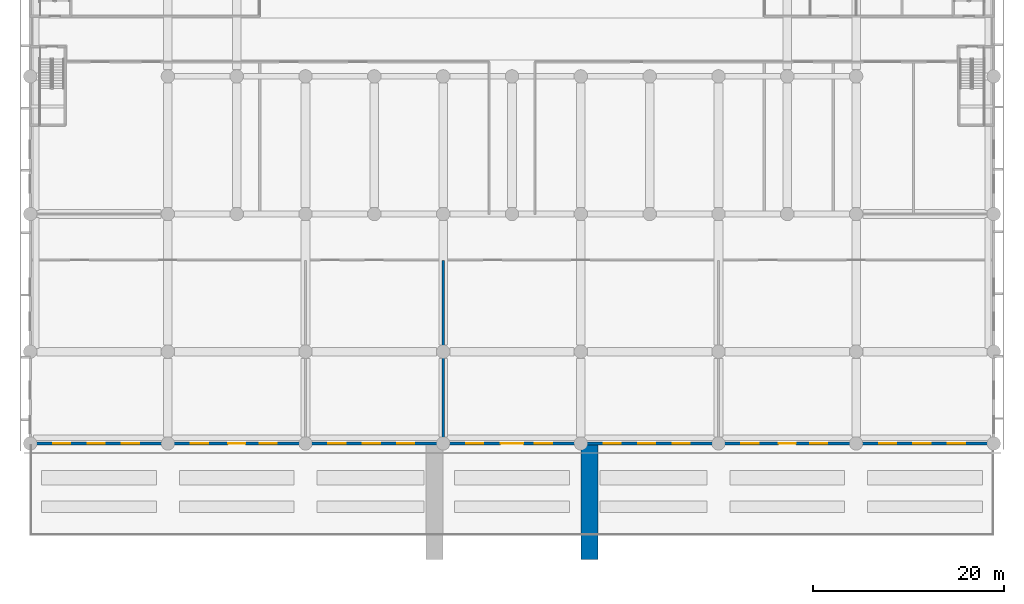
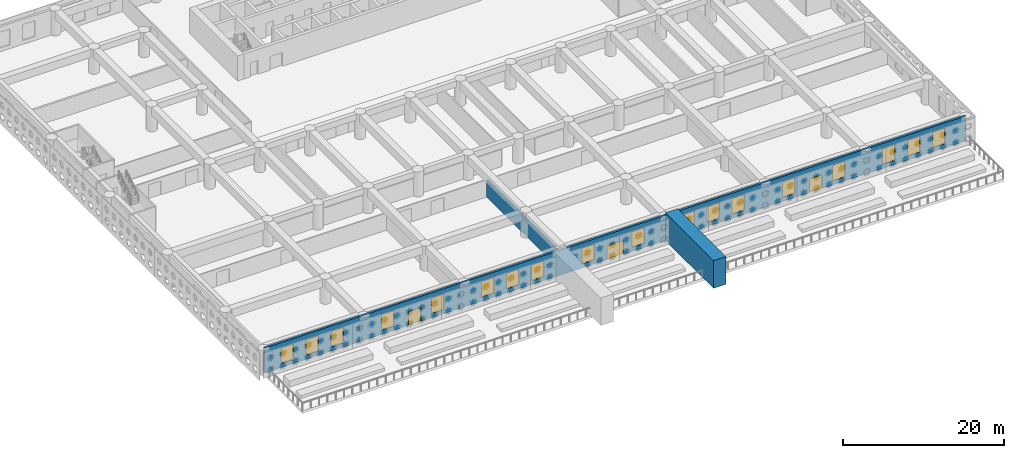
# One storey, part 3 of 24: 18 windows, 3 doors, 3 walls, 21 openings.
"""IFC4 building model written with IfcOpenShell, lengths in metres."""

from ifc_helpers import new_model, si_unit, direction, frame, frame_2d, origin, place, context, subcontext, project, spatial, rectangle, extrude, material, layer, layer_set, type_object, element, fill, save


model = new_model("IFC4")

# Units and contexts
model_context = context("Model", 3, precision=1e-05, world=origin(), true_north=direction((0.0, 1.0)))
body_context = subcontext(model_context, "Body", "Model", "MODEL_VIEW")
ifc_project = project(units=[si_unit("LENGTHUNIT", "METRE"), si_unit("AREAUNIT", "SQUARE_METRE"), si_unit("VOLUMEUNIT", "CUBIC_METRE"), si_unit("PLANEANGLEUNIT", "RADIAN"), si_unit("MASSUNIT", "GRAM", prefix="KILO")], contexts=[model_context])

# Site, building, storey
site_placement = place(None, origin())
site = spatial("IfcSite", under=ifc_project, at=site_placement, CompositionType="ELEMENT")
building_placement = place(site_placement, origin())
building = spatial("IfcBuilding", under=site, at=building_placement, Name="Saffron Iwan Residences", CompositionType="ELEMENT")
storey_placement = place(building_placement, frame((0.0, 0.0, 13.199951171875)))
storey = spatial("IfcBuildingStorey", under=building, at=storey_placement, Name="L02", CompositionType="ELEMENT", Elevation=13.199951171875)

# Wall
ifc_material_1 = material(Name="Concrete C40/50", Category="concrete")
ifc_layer_1 = layer(ifc_material_1, 0.25)
ifc_layer_set_1 = layer_set([ifc_layer_1], Name="Concrete C40/50")
wall_type_1 = type_object("IfcWallType", Name="Fire compartment wall 250", PredefinedType="SOLIDWALL", material=ifc_layer_set_1)
wall_1_placement = place(storey_placement, frame((43.199951171875, 9.75, 0.0), z_axis=(0.0, 0.0, 1.0), x_axis=(0.0, 1.0, 0.0)))
element("IfcWall", 1, at=wall_1_placement, inside=storey, type_object=wall_type_1, Name="W-L02-032", PredefinedType="SOLIDWALL", context=body_context, shape_type="SweptSolid", body=[
    extrude(rectangle(XDim=18.97509765625, YDim=0.25, at=frame_2d((9.487548828125, 0.0))), origin(), (0.0, 0.0, 1.0), 2.60009765625),
])

# Wall, openings, doors, windows
ifc_material_2 = material(Name="Precast concrete C40/50", Category="concrete")
ifc_layer_2 = layer(ifc_material_2, 0.300048828125)
ifc_layer_set_2 = layer_set([ifc_layer_2], Name="Precast concrete C40/50")
wall_type_2 = type_object("IfcWallType", Name="Podium external wall 300", PredefinedType="SOLIDWALL", material=ifc_layer_set_2)
wall_2_placement = place(storey_placement, frame((0.0, 9.60009765625, 0.0), z_axis=(0.0, 0.0, 1.0), x_axis=(1.0, 0.0, 0.0)))
wall_2 = element("IfcWall", 2, at=wall_2_placement, inside=storey, type_object=wall_type_2, Name="W-L02-001", PredefinedType="SOLIDWALL", context=body_context, shape_type="SweptSolid", body=[
    extrude(rectangle(XDim=100.800048828125, YDim=0.300048828125, at=frame_2d((50.39990234375, 0.0))), origin(), (0.0, 0.0, 1.0), 3.800048828125),
])
opening_1_placement = place(wall_2_placement, frame((20.699951171875, 0.0, 0.0)))
opening_1 = element("IfcOpeningElement", 3, at=opening_1_placement, cuts=wall_2, Name="Opening L02.26", PredefinedType="OPENING", context=body_context, shape_type="SweptSolid", body=[
    extrude(rectangle(XDim=1.800048828125, YDim=2.10009765625, at=frame_2d((0.89990234375, 1.050048828125))), frame((0.0, 0.16015625, 0.0), z_axis=(0.0, -1.0, 0.0), x_axis=(1.0, 0.0, 0.0)), (0.0, 0.0, 1.0), 0.320068359375),
])
opening_2_placement = place(wall_2_placement, frame((49.199951171875, 0.0, 0.0)))
opening_2 = element("IfcOpeningElement", 4, at=opening_2_placement, cuts=wall_2, Name="Opening L02.27", PredefinedType="OPENING", context=body_context, shape_type="SweptSolid", body=[
    extrude(rectangle(XDim=2.39990234375, YDim=2.10009765625, at=frame_2d((1.199951171875, 1.050048828125))), frame((0.0, 0.16015625, 0.0), z_axis=(0.0, -1.0, 0.0), x_axis=(1.0, 0.0, 0.0)), (0.0, 0.0, 1.0), 0.320068359375),
])
opening_3_placement = place(wall_2_placement, frame((78.300048828125, 0.0, 0.0)))
opening_3 = element("IfcOpeningElement", 5, at=opening_3_placement, cuts=wall_2, Name="Opening L02.28", PredefinedType="OPENING", context=body_context, shape_type="SweptSolid", body=[
    extrude(rectangle(XDim=1.800048828125, YDim=2.10009765625, at=frame_2d((0.89990234375, 1.050048828125))), frame((0.0, 0.16015625, 0.0), z_axis=(0.0, -1.0, 0.0), x_axis=(1.0, 0.0, 0.0)), (0.0, 0.0, 1.0), 0.320068359375),
])
opening_4_placement = place(wall_2_placement, frame((2.39990234375, 0.0, 0.60009765625)))
opening_4 = element("IfcOpeningElement", 6, at=opening_4_placement, cuts=wall_2, Name="Opening W7", PredefinedType="OPENING", context=body_context, shape_type="SweptSolid", body=[
    extrude(rectangle(XDim=1.800048828125, YDim=2.39990234375, at=frame_2d((0.89990234375, 1.199951171875))), frame((0.0, 0.16015625, 0.0), z_axis=(0.0, -1.0, 0.0), x_axis=(1.0, 0.0, 0.0)), (0.0, 0.0, 1.0), 0.320068359375),
])
opening_5_placement = place(wall_2_placement, frame((6.0, 0.0, 0.60009765625)))
opening_5 = element("IfcOpeningElement", 7, at=opening_5_placement, cuts=wall_2, Name="Opening W7", PredefinedType="OPENING", context=body_context, shape_type="SweptSolid", body=[
    extrude(rectangle(XDim=1.800048828125, YDim=2.39990234375, at=frame_2d((0.89990234375, 1.199951171875))), frame((0.0, 0.16015625, 0.0), z_axis=(0.0, -1.0, 0.0), x_axis=(1.0, 0.0, 0.0)), (0.0, 0.0, 1.0), 0.320068359375),
])
opening_6_placement = place(wall_2_placement, frame((9.60009765625, 0.0, 0.60009765625)))
opening_6 = element("IfcOpeningElement", 8, at=opening_6_placement, cuts=wall_2, Name="Opening W7", PredefinedType="OPENING", context=body_context, shape_type="SweptSolid", body=[
    extrude(rectangle(XDim=1.800048828125, YDim=2.39990234375, at=frame_2d((0.89990234375, 1.199951171875))), frame((0.0, 0.16015625, 0.0), z_axis=(0.0, -1.0, 0.0), x_axis=(1.0, 0.0, 0.0)), (0.0, 0.0, 1.0), 0.320068359375),
])
opening_7_placement = place(wall_2_placement, frame((16.800048828125, 0.0, 0.60009765625)))
opening_7 = element("IfcOpeningElement", 9, at=opening_7_placement, cuts=wall_2, Name="Opening W7", PredefinedType="OPENING", context=body_context, shape_type="SweptSolid", body=[
    extrude(rectangle(XDim=1.800048828125, YDim=2.39990234375, at=frame_2d((0.89990234375, 1.199951171875))), frame((0.0, 0.16015625, 0.0), z_axis=(0.0, -1.0, 0.0), x_axis=(1.0, 0.0, 0.0)), (0.0, 0.0, 1.0), 0.320068359375),
])
opening_8_placement = place(wall_2_placement, frame((24.0, 0.0, 0.60009765625)))
opening_8 = element("IfcOpeningElement", 10, at=opening_8_placement, cuts=wall_2, Name="Opening W7", PredefinedType="OPENING", context=body_context, shape_type="SweptSolid", body=[
    extrude(rectangle(XDim=1.800048828125, YDim=2.39990234375, at=frame_2d((0.89990234375, 1.199951171875))), frame((0.0, 0.16015625, 0.0), z_axis=(0.0, -1.0, 0.0), x_axis=(1.0, 0.0, 0.0)), (0.0, 0.0, 1.0), 0.320068359375),
])
opening_9_placement = place(wall_2_placement, frame((31.199951171875, 0.0, 0.60009765625)))
opening_9 = element("IfcOpeningElement", 11, at=opening_9_placement, cuts=wall_2, Name="Opening W7", PredefinedType="OPENING", context=body_context, shape_type="SweptSolid", body=[
    extrude(rectangle(XDim=1.800048828125, YDim=2.39990234375, at=frame_2d((0.89990234375, 1.199951171875))), frame((0.0, 0.16015625, 0.0), z_axis=(0.0, -1.0, 0.0), x_axis=(1.0, 0.0, 0.0)), (0.0, 0.0, 1.0), 0.320068359375),
])
opening_10_placement = place(wall_2_placement, frame((34.800048828125, 0.0, 0.60009765625)))
opening_10 = element("IfcOpeningElement", 12, at=opening_10_placement, cuts=wall_2, Name="Opening W7", PredefinedType="OPENING", context=body_context, shape_type="SweptSolid", body=[
    extrude(rectangle(XDim=1.800048828125, YDim=2.39990234375, at=frame_2d((0.89990234375, 1.199951171875))), frame((0.0, 0.16015625, 0.0), z_axis=(0.0, -1.0, 0.0), x_axis=(1.0, 0.0, 0.0)), (0.0, 0.0, 1.0), 0.320068359375),
])
opening_11_placement = place(wall_2_placement, frame((38.39990234375, 0.0, 0.60009765625)))
opening_11 = element("IfcOpeningElement", 13, at=opening_11_placement, cuts=wall_2, Name="Opening W7", PredefinedType="OPENING", context=body_context, shape_type="SweptSolid", body=[
    extrude(rectangle(XDim=1.800048828125, YDim=2.39990234375, at=frame_2d((0.89990234375, 1.199951171875))), frame((0.0, 0.16015625, 0.0), z_axis=(0.0, -1.0, 0.0), x_axis=(1.0, 0.0, 0.0)), (0.0, 0.0, 1.0), 0.320068359375),
])
opening_12_placement = place(wall_2_placement, frame((45.60009765625, 0.0, 0.60009765625)))
opening_12 = element("IfcOpeningElement", 14, at=opening_12_placement, cuts=wall_2, Name="Opening W7", PredefinedType="OPENING", context=body_context, shape_type="SweptSolid", body=[
    extrude(rectangle(XDim=1.800048828125, YDim=2.39990234375, at=frame_2d((0.89990234375, 1.199951171875))), frame((0.0, 0.16015625, 0.0), z_axis=(0.0, -1.0, 0.0), x_axis=(1.0, 0.0, 0.0)), (0.0, 0.0, 1.0), 0.320068359375),
])
opening_13_placement = place(wall_2_placement, frame((52.800048828125, 0.0, 0.60009765625)))
opening_13 = element("IfcOpeningElement", 15, at=opening_13_placement, cuts=wall_2, Name="Opening W7", PredefinedType="OPENING", context=body_context, shape_type="SweptSolid", body=[
    extrude(rectangle(XDim=1.800048828125, YDim=2.39990234375, at=frame_2d((0.89990234375, 1.199951171875))), frame((0.0, 0.16015625, 0.0), z_axis=(0.0, -1.0, 0.0), x_axis=(1.0, 0.0, 0.0)), (0.0, 0.0, 1.0), 0.320068359375),
])
opening_14_placement = place(wall_2_placement, frame((60.0, 0.0, 0.60009765625)))
opening_14 = element("IfcOpeningElement", 16, at=opening_14_placement, cuts=wall_2, Name="Opening W7", PredefinedType="OPENING", context=body_context, shape_type="SweptSolid", body=[
    extrude(rectangle(XDim=1.800048828125, YDim=2.39990234375, at=frame_2d((0.89990234375, 1.199951171875))), frame((0.0, 0.16015625, 0.0), z_axis=(0.0, -1.0, 0.0), x_axis=(1.0, 0.0, 0.0)), (0.0, 0.0, 1.0), 0.320068359375),
])
opening_15_placement = place(wall_2_placement, frame((63.60009765625, 0.0, 0.60009765625)))
opening_15 = element("IfcOpeningElement", 17, at=opening_15_placement, cuts=wall_2, Name="Opening W7", PredefinedType="OPENING", context=body_context, shape_type="SweptSolid", body=[
    extrude(rectangle(XDim=1.800048828125, YDim=2.39990234375, at=frame_2d((0.89990234375, 1.199951171875))), frame((0.0, 0.16015625, 0.0), z_axis=(0.0, -1.0, 0.0), x_axis=(1.0, 0.0, 0.0)), (0.0, 0.0, 1.0), 0.320068359375),
])
opening_16_placement = place(wall_2_placement, frame((67.199951171875, 0.0, 0.60009765625)))
opening_16 = element("IfcOpeningElement", 18, at=opening_16_placement, cuts=wall_2, Name="Opening W7", PredefinedType="OPENING", context=body_context, shape_type="SweptSolid", body=[
    extrude(rectangle(XDim=1.800048828125, YDim=2.39990234375, at=frame_2d((0.89990234375, 1.199951171875))), frame((0.0, 0.16015625, 0.0), z_axis=(0.0, -1.0, 0.0), x_axis=(1.0, 0.0, 0.0)), (0.0, 0.0, 1.0), 0.320068359375),
])
opening_17_placement = place(wall_2_placement, frame((74.39990234375, 0.0, 0.60009765625)))
opening_17 = element("IfcOpeningElement", 19, at=opening_17_placement, cuts=wall_2, Name="Opening W7", PredefinedType="OPENING", context=body_context, shape_type="SweptSolid", body=[
    extrude(rectangle(XDim=1.800048828125, YDim=2.39990234375, at=frame_2d((0.89990234375, 1.199951171875))), frame((0.0, 0.16015625, 0.0), z_axis=(0.0, -1.0, 0.0), x_axis=(1.0, 0.0, 0.0)), (0.0, 0.0, 1.0), 0.320068359375),
])
opening_18_placement = place(wall_2_placement, frame((81.60009765625, 0.0, 0.60009765625)))
opening_18 = element("IfcOpeningElement", 20, at=opening_18_placement, cuts=wall_2, Name="Opening W7", PredefinedType="OPENING", context=body_context, shape_type="SweptSolid", body=[
    extrude(rectangle(XDim=1.800048828125, YDim=2.39990234375, at=frame_2d((0.89990234375, 1.199951171875))), frame((0.0, 0.16015625, 0.0), z_axis=(0.0, -1.0, 0.0), x_axis=(1.0, 0.0, 0.0)), (0.0, 0.0, 1.0), 0.320068359375),
])
opening_19_placement = place(wall_2_placement, frame((88.800048828125, 0.0, 0.60009765625)))
opening_19 = element("IfcOpeningElement", 21, at=opening_19_placement, cuts=wall_2, Name="Opening W7", PredefinedType="OPENING", context=body_context, shape_type="SweptSolid", body=[
    extrude(rectangle(XDim=1.800048828125, YDim=2.39990234375, at=frame_2d((0.89990234375, 1.199951171875))), frame((0.0, 0.16015625, 0.0), z_axis=(0.0, -1.0, 0.0), x_axis=(1.0, 0.0, 0.0)), (0.0, 0.0, 1.0), 0.320068359375),
])
opening_20_placement = place(wall_2_placement, frame((92.39990234375, 0.0, 0.60009765625)))
opening_20 = element("IfcOpeningElement", 22, at=opening_20_placement, cuts=wall_2, Name="Opening W7", PredefinedType="OPENING", context=body_context, shape_type="SweptSolid", body=[
    extrude(rectangle(XDim=1.800048828125, YDim=2.39990234375, at=frame_2d((0.89990234375, 1.199951171875))), frame((0.0, 0.16015625, 0.0), z_axis=(0.0, -1.0, 0.0), x_axis=(1.0, 0.0, 0.0)), (0.0, 0.0, 1.0), 0.320068359375),
])
opening_21_placement = place(wall_2_placement, frame((96.0, 0.0, 0.60009765625)))
opening_21 = element("IfcOpeningElement", 23, at=opening_21_placement, cuts=wall_2, Name="Opening W7", PredefinedType="OPENING", context=body_context, shape_type="SweptSolid", body=[
    extrude(rectangle(XDim=1.800048828125, YDim=2.39990234375, at=frame_2d((0.89990234375, 1.199951171875))), frame((0.0, 0.16015625, 0.0), z_axis=(0.0, -1.0, 0.0), x_axis=(1.0, 0.0, 0.0)), (0.0, 0.0, 1.0), 0.320068359375),
])
ifc_material_3 = material(Name="Timber", Category="wood")
door_type_1 = type_object("IfcDoorType", Name="Door 1800x2100", OperationType="DOUBLE_DOOR_SINGLE_SWING", PredefinedType="DOOR", material=ifc_material_3)
door_1_placement = place(opening_1_placement, origin())
door_1 = element("IfcDoor", 24, at=door_1_placement, inside=storey, type_object=door_type_1, Name="D-L02-026", OperationType="DOUBLE_DOOR_SINGLE_SWING", OverallHeight=2.10009765625, OverallWidth=1.800048828125, PredefinedType="DOOR", context=body_context, shape_type="SweptSolid", body=[
    extrude(rectangle(XDim=1.800048828125, YDim=2.10009765625, at=frame_2d((0.89990234375, 1.050048828125))), frame((0.0, 0.02490234375, 0.0), z_axis=(0.0, -1.0, 0.0), x_axis=(1.0, 0.0, 0.0)), (0.0, 0.0, 1.0), 0.050048828125),
])
fill(opening_1, door_1)
door_2_placement = place(opening_3_placement, origin())
door_2 = element("IfcDoor", 25, at=door_2_placement, inside=storey, type_object=door_type_1, Name="D-L02-028", OperationType="DOUBLE_DOOR_SINGLE_SWING", OverallHeight=2.10009765625, OverallWidth=1.800048828125, PredefinedType="DOOR", context=body_context, shape_type="SweptSolid", body=[
    extrude(rectangle(XDim=1.800048828125, YDim=2.10009765625, at=frame_2d((0.89990234375, 1.050048828125))), frame((0.0, 0.02490234375, 0.0), z_axis=(0.0, -1.0, 0.0), x_axis=(1.0, 0.0, 0.0)), (0.0, 0.0, 1.0), 0.050048828125),
])
fill(opening_3, door_2)
door_type_2 = type_object("IfcDoorType", Name="Door 2400x2100", OperationType="DOUBLE_DOOR_SINGLE_SWING", PredefinedType="DOOR", material=ifc_material_3)
door_3_placement = place(opening_2_placement, origin())
door_3 = element("IfcDoor", 26, at=door_3_placement, inside=storey, type_object=door_type_2, Name="D-L02-027", OperationType="DOUBLE_DOOR_SINGLE_SWING", OverallHeight=2.10009765625, OverallWidth=2.39990234375, PredefinedType="DOOR", context=body_context, shape_type="SweptSolid", body=[
    extrude(rectangle(XDim=2.39990234375, YDim=2.10009765625, at=frame_2d((1.199951171875, 1.050048828125))), frame((0.0, 0.02490234375, 0.0), z_axis=(0.0, -1.0, 0.0), x_axis=(1.0, 0.0, 0.0)), (0.0, 0.0, 1.0), 0.050048828125),
])
fill(opening_2, door_3)
ifc_material_4 = material(Name="Clear glass, laminated double glazed", Category="glass")
window_type = type_object("IfcWindowType", Name="WINDOW 1800 x 2400 PODIUM", PartitioningType="DOUBLE_PANEL_VERTICAL", PredefinedType="WINDOW", material=ifc_material_4)
window_1_placement = place(opening_4_placement, origin())
window_1 = element("IfcWindow", 27, at=window_1_placement, inside=storey, type_object=window_type, Name="Window L02 W-L02-001.0", OverallHeight=2.39990234375, OverallWidth=1.800048828125, PartitioningType="DOUBLE_PANEL_VERTICAL", PredefinedType="WINDOW", context=body_context, shape_type="SweptSolid", body=[
    extrude(rectangle(XDim=1.800048828125, YDim=2.39990234375, at=frame_2d((0.89990234375, 1.199951171875))), frame((0.0, 0.030029296875, 0.0), z_axis=(0.0, -1.0, 0.0), x_axis=(1.0, 0.0, 0.0)), (0.0, 0.0, 1.0), 0.06005859375),
])
fill(opening_4, window_1)
window_2_placement = place(opening_5_placement, origin())
window_2 = element("IfcWindow", 28, at=window_2_placement, inside=storey, type_object=window_type, Name="Window L02 W-L02-001.1", OverallHeight=2.39990234375, OverallWidth=1.800048828125, PartitioningType="DOUBLE_PANEL_VERTICAL", PredefinedType="WINDOW", context=body_context, shape_type="SweptSolid", body=[
    extrude(rectangle(XDim=1.800048828125, YDim=2.39990234375, at=frame_2d((0.89990234375, 1.199951171875))), frame((0.0, 0.030029296875, 0.0), z_axis=(0.0, -1.0, 0.0), x_axis=(1.0, 0.0, 0.0)), (0.0, 0.0, 1.0), 0.06005859375),
])
fill(opening_5, window_2)
window_3_placement = place(opening_6_placement, origin())
window_3 = element("IfcWindow", 29, at=window_3_placement, inside=storey, type_object=window_type, Name="Window L02 W-L02-001.2", OverallHeight=2.39990234375, OverallWidth=1.800048828125, PartitioningType="DOUBLE_PANEL_VERTICAL", PredefinedType="WINDOW", context=body_context, shape_type="SweptSolid", body=[
    extrude(rectangle(XDim=1.800048828125, YDim=2.39990234375, at=frame_2d((0.89990234375, 1.199951171875))), frame((0.0, 0.030029296875, 0.0), z_axis=(0.0, -1.0, 0.0), x_axis=(1.0, 0.0, 0.0)), (0.0, 0.0, 1.0), 0.06005859375),
])
fill(opening_6, window_3)
window_4_placement = place(opening_7_placement, origin())
window_4 = element("IfcWindow", 30, at=window_4_placement, inside=storey, type_object=window_type, Name="Window L02 W-L02-001.3", OverallHeight=2.39990234375, OverallWidth=1.800048828125, PartitioningType="DOUBLE_PANEL_VERTICAL", PredefinedType="WINDOW", context=body_context, shape_type="SweptSolid", body=[
    extrude(rectangle(XDim=1.800048828125, YDim=2.39990234375, at=frame_2d((0.89990234375, 1.199951171875))), frame((0.0, 0.030029296875, 0.0), z_axis=(0.0, -1.0, 0.0), x_axis=(1.0, 0.0, 0.0)), (0.0, 0.0, 1.0), 0.06005859375),
])
fill(opening_7, window_4)
window_5_placement = place(opening_8_placement, origin())
window_5 = element("IfcWindow", 31, at=window_5_placement, inside=storey, type_object=window_type, Name="Window L02 W-L02-001.4", OverallHeight=2.39990234375, OverallWidth=1.800048828125, PartitioningType="DOUBLE_PANEL_VERTICAL", PredefinedType="WINDOW", context=body_context, shape_type="SweptSolid", body=[
    extrude(rectangle(XDim=1.800048828125, YDim=2.39990234375, at=frame_2d((0.89990234375, 1.199951171875))), frame((0.0, 0.030029296875, 0.0), z_axis=(0.0, -1.0, 0.0), x_axis=(1.0, 0.0, 0.0)), (0.0, 0.0, 1.0), 0.06005859375),
])
fill(opening_8, window_5)
window_6_placement = place(opening_9_placement, origin())
window_6 = element("IfcWindow", 32, at=window_6_placement, inside=storey, type_object=window_type, Name="Window L02 W-L02-001.5", OverallHeight=2.39990234375, OverallWidth=1.800048828125, PartitioningType="DOUBLE_PANEL_VERTICAL", PredefinedType="WINDOW", context=body_context, shape_type="SweptSolid", body=[
    extrude(rectangle(XDim=1.800048828125, YDim=2.39990234375, at=frame_2d((0.89990234375, 1.199951171875))), frame((0.0, 0.030029296875, 0.0), z_axis=(0.0, -1.0, 0.0), x_axis=(1.0, 0.0, 0.0)), (0.0, 0.0, 1.0), 0.06005859375),
])
fill(opening_9, window_6)
window_7_placement = place(opening_10_placement, origin())
window_7 = element("IfcWindow", 33, at=window_7_placement, inside=storey, type_object=window_type, Name="Window L02 W-L02-001.6", OverallHeight=2.39990234375, OverallWidth=1.800048828125, PartitioningType="DOUBLE_PANEL_VERTICAL", PredefinedType="WINDOW", context=body_context, shape_type="SweptSolid", body=[
    extrude(rectangle(XDim=1.800048828125, YDim=2.39990234375, at=frame_2d((0.89990234375, 1.199951171875))), frame((0.0, 0.030029296875, 0.0), z_axis=(0.0, -1.0, 0.0), x_axis=(1.0, 0.0, 0.0)), (0.0, 0.0, 1.0), 0.06005859375),
])
fill(opening_10, window_7)
window_8_placement = place(opening_11_placement, origin())
window_8 = element("IfcWindow", 34, at=window_8_placement, inside=storey, type_object=window_type, Name="Window L02 W-L02-001.7", OverallHeight=2.39990234375, OverallWidth=1.800048828125, PartitioningType="DOUBLE_PANEL_VERTICAL", PredefinedType="WINDOW", context=body_context, shape_type="SweptSolid", body=[
    extrude(rectangle(XDim=1.800048828125, YDim=2.39990234375, at=frame_2d((0.89990234375, 1.199951171875))), frame((0.0, 0.030029296875, 0.0), z_axis=(0.0, -1.0, 0.0), x_axis=(1.0, 0.0, 0.0)), (0.0, 0.0, 1.0), 0.06005859375),
])
fill(opening_11, window_8)
window_9_placement = place(opening_12_placement, origin())
window_9 = element("IfcWindow", 35, at=window_9_placement, inside=storey, type_object=window_type, Name="Window L02 W-L02-001.8", OverallHeight=2.39990234375, OverallWidth=1.800048828125, PartitioningType="DOUBLE_PANEL_VERTICAL", PredefinedType="WINDOW", context=body_context, shape_type="SweptSolid", body=[
    extrude(rectangle(XDim=1.800048828125, YDim=2.39990234375, at=frame_2d((0.89990234375, 1.199951171875))), frame((0.0, 0.030029296875, 0.0), z_axis=(0.0, -1.0, 0.0), x_axis=(1.0, 0.0, 0.0)), (0.0, 0.0, 1.0), 0.06005859375),
])
fill(opening_12, window_9)
window_10_placement = place(opening_13_placement, origin())
window_10 = element("IfcWindow", 36, at=window_10_placement, inside=storey, type_object=window_type, Name="Window L02 W-L02-001.9", OverallHeight=2.39990234375, OverallWidth=1.800048828125, PartitioningType="DOUBLE_PANEL_VERTICAL", PredefinedType="WINDOW", context=body_context, shape_type="SweptSolid", body=[
    extrude(rectangle(XDim=1.800048828125, YDim=2.39990234375, at=frame_2d((0.89990234375, 1.199951171875))), frame((0.0, 0.030029296875, 0.0), z_axis=(0.0, -1.0, 0.0), x_axis=(1.0, 0.0, 0.0)), (0.0, 0.0, 1.0), 0.06005859375),
])
fill(opening_13, window_10)
window_11_placement = place(opening_14_placement, origin())
window_11 = element("IfcWindow", 37, at=window_11_placement, inside=storey, type_object=window_type, Name="Window L02 W-L02-001.10", OverallHeight=2.39990234375, OverallWidth=1.800048828125, PartitioningType="DOUBLE_PANEL_VERTICAL", PredefinedType="WINDOW", context=body_context, shape_type="SweptSolid", body=[
    extrude(rectangle(XDim=1.800048828125, YDim=2.39990234375, at=frame_2d((0.89990234375, 1.199951171875))), frame((0.0, 0.030029296875, 0.0), z_axis=(0.0, -1.0, 0.0), x_axis=(1.0, 0.0, 0.0)), (0.0, 0.0, 1.0), 0.06005859375),
])
fill(opening_14, window_11)
window_12_placement = place(opening_15_placement, origin())
window_12 = element("IfcWindow", 38, at=window_12_placement, inside=storey, type_object=window_type, Name="Window L02 W-L02-001.11", OverallHeight=2.39990234375, OverallWidth=1.800048828125, PartitioningType="DOUBLE_PANEL_VERTICAL", PredefinedType="WINDOW", context=body_context, shape_type="SweptSolid", body=[
    extrude(rectangle(XDim=1.800048828125, YDim=2.39990234375, at=frame_2d((0.89990234375, 1.199951171875))), frame((0.0, 0.030029296875, 0.0), z_axis=(0.0, -1.0, 0.0), x_axis=(1.0, 0.0, 0.0)), (0.0, 0.0, 1.0), 0.06005859375),
])
fill(opening_15, window_12)
window_13_placement = place(opening_16_placement, origin())
window_13 = element("IfcWindow", 39, at=window_13_placement, inside=storey, type_object=window_type, Name="Window L02 W-L02-001.12", OverallHeight=2.39990234375, OverallWidth=1.800048828125, PartitioningType="DOUBLE_PANEL_VERTICAL", PredefinedType="WINDOW", context=body_context, shape_type="SweptSolid", body=[
    extrude(rectangle(XDim=1.800048828125, YDim=2.39990234375, at=frame_2d((0.89990234375, 1.199951171875))), frame((0.0, 0.030029296875, 0.0), z_axis=(0.0, -1.0, 0.0), x_axis=(1.0, 0.0, 0.0)), (0.0, 0.0, 1.0), 0.06005859375),
])
fill(opening_16, window_13)
window_14_placement = place(opening_17_placement, origin())
window_14 = element("IfcWindow", 40, at=window_14_placement, inside=storey, type_object=window_type, Name="Window L02 W-L02-001.13", OverallHeight=2.39990234375, OverallWidth=1.800048828125, PartitioningType="DOUBLE_PANEL_VERTICAL", PredefinedType="WINDOW", context=body_context, shape_type="SweptSolid", body=[
    extrude(rectangle(XDim=1.800048828125, YDim=2.39990234375, at=frame_2d((0.89990234375, 1.199951171875))), frame((0.0, 0.030029296875, 0.0), z_axis=(0.0, -1.0, 0.0), x_axis=(1.0, 0.0, 0.0)), (0.0, 0.0, 1.0), 0.06005859375),
])
fill(opening_17, window_14)
window_15_placement = place(opening_18_placement, origin())
window_15 = element("IfcWindow", 41, at=window_15_placement, inside=storey, type_object=window_type, Name="Window L02 W-L02-001.14", OverallHeight=2.39990234375, OverallWidth=1.800048828125, PartitioningType="DOUBLE_PANEL_VERTICAL", PredefinedType="WINDOW", context=body_context, shape_type="SweptSolid", body=[
    extrude(rectangle(XDim=1.800048828125, YDim=2.39990234375, at=frame_2d((0.89990234375, 1.199951171875))), frame((0.0, 0.030029296875, 0.0), z_axis=(0.0, -1.0, 0.0), x_axis=(1.0, 0.0, 0.0)), (0.0, 0.0, 1.0), 0.06005859375),
])
fill(opening_18, window_15)
window_16_placement = place(opening_19_placement, origin())
window_16 = element("IfcWindow", 42, at=window_16_placement, inside=storey, type_object=window_type, Name="Window L02 W-L02-001.15", OverallHeight=2.39990234375, OverallWidth=1.800048828125, PartitioningType="DOUBLE_PANEL_VERTICAL", PredefinedType="WINDOW", context=body_context, shape_type="SweptSolid", body=[
    extrude(rectangle(XDim=1.800048828125, YDim=2.39990234375, at=frame_2d((0.89990234375, 1.199951171875))), frame((0.0, 0.030029296875, 0.0), z_axis=(0.0, -1.0, 0.0), x_axis=(1.0, 0.0, 0.0)), (0.0, 0.0, 1.0), 0.06005859375),
])
fill(opening_19, window_16)
window_17_placement = place(opening_20_placement, origin())
window_17 = element("IfcWindow", 43, at=window_17_placement, inside=storey, type_object=window_type, Name="Window L02 W-L02-001.16", OverallHeight=2.39990234375, OverallWidth=1.800048828125, PartitioningType="DOUBLE_PANEL_VERTICAL", PredefinedType="WINDOW", context=body_context, shape_type="SweptSolid", body=[
    extrude(rectangle(XDim=1.800048828125, YDim=2.39990234375, at=frame_2d((0.89990234375, 1.199951171875))), frame((0.0, 0.030029296875, 0.0), z_axis=(0.0, -1.0, 0.0), x_axis=(1.0, 0.0, 0.0)), (0.0, 0.0, 1.0), 0.06005859375),
])
fill(opening_20, window_17)
window_18_placement = place(opening_21_placement, origin())
window_18 = element("IfcWindow", 44, at=window_18_placement, inside=storey, type_object=window_type, Name="Window L02 W-L02-001.17", OverallHeight=2.39990234375, OverallWidth=1.800048828125, PartitioningType="DOUBLE_PANEL_VERTICAL", PredefinedType="WINDOW", context=body_context, shape_type="SweptSolid", body=[
    extrude(rectangle(XDim=1.800048828125, YDim=2.39990234375, at=frame_2d((0.89990234375, 1.199951171875))), frame((0.0, 0.030029296875, 0.0), z_axis=(0.0, -1.0, 0.0), x_axis=(1.0, 0.0, 0.0)), (0.0, 0.0, 1.0), 0.06005859375),
])
fill(opening_21, window_18)

# Wall
ifc_material_5 = material(Name="Terracotta coloured precast concrete C40/50", Category="masonry")
ifc_layer_3 = layer(ifc_material_5, 1.800048828125)
ifc_layer_set_3 = layer_set([ifc_layer_3], Name="Terracotta coloured precast concrete C40/50")
wall_type_3 = type_object("IfcWallType", Name="Portal pier, precast concrete 1800", PredefinedType="SOLIDWALL", material=ifc_layer_set_3)
wall_3_placement = place(storey_placement, frame((58.5, -2.550048828125, 0.0), z_axis=(0.0, 0.0, 1.0), x_axis=(0.0, 1.0, 0.0)))
element("IfcWall", 45, at=wall_3_placement, inside=storey, type_object=wall_type_3, Name="Portal pier E L02", PredefinedType="SOLIDWALL", context=body_context, shape_type="SweptSolid", body=[
    extrude(rectangle(XDim=12.0, YDim=1.800048828125, at=frame_2d((6.0, 0.0))), origin(), (0.0, 0.0, 1.0), 4.199951171875),
])

save(model, "model.ifc")
